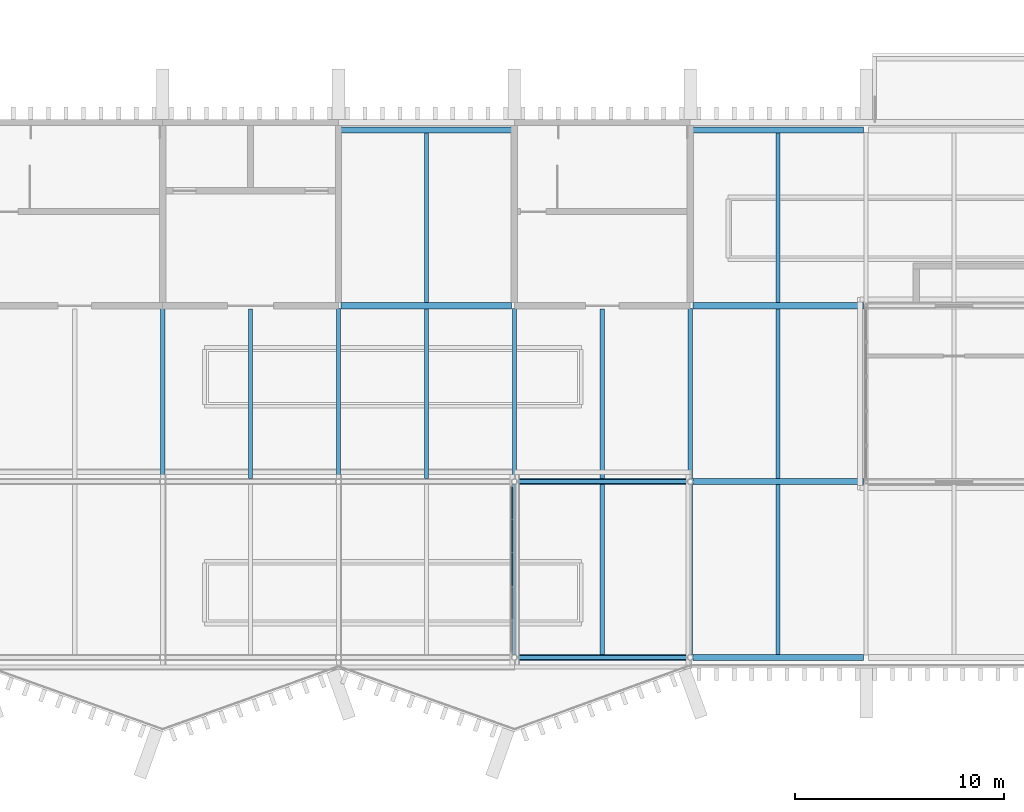
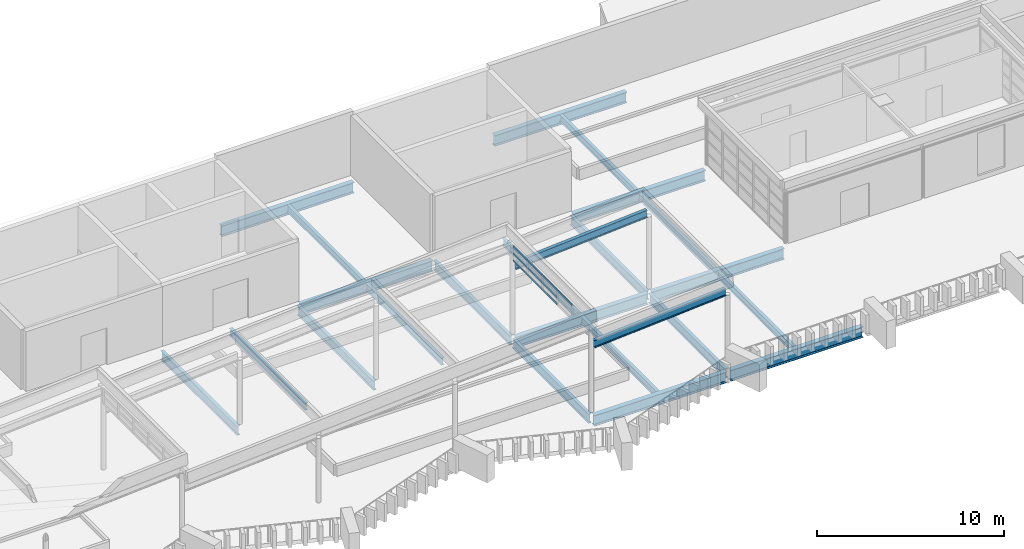
# One storey, part 12 of 51: 24 beams, 10 members, 1 element without a shape of its own.
"""IFC4 building model written with IfcOpenShell, lengths in metres."""

from ifc_helpers import new_model, si_unit, direction, frame, origin, origin_2d, place, context, subcontext, project, spatial, rectangle, i_section, extrude, material, layer, layer_set, material_profile, profile_set, type_object, element, aggregate, save


model = new_model("IFC4")

# Units and contexts
model_context = context("Model", 3, precision=1e-05, world=origin(), true_north=direction((0.0, 1.0)))
body_context = subcontext(model_context, "Body", "Model", "MODEL_VIEW")
ifc_project = project(units=[si_unit("LENGTHUNIT", "METRE"), si_unit("AREAUNIT", "SQUARE_METRE"), si_unit("VOLUMEUNIT", "CUBIC_METRE"), si_unit("PLANEANGLEUNIT", "RADIAN"), si_unit("MASSUNIT", "GRAM", prefix="KILO")], contexts=[model_context])

# Site, building, storey
site_placement = place(None, origin())
site = spatial("IfcSite", under=ifc_project, at=site_placement, CompositionType="ELEMENT")
building_placement = place(site_placement, origin())
building = spatial("IfcBuilding", under=site, at=building_placement, Name="Cresset Court Congress Hotel", CompositionType="ELEMENT")
storey_placement = place(building_placement, frame((0.0, 0.0, 18.60009765625)))
storey = spatial("IfcBuildingStorey", under=building, at=storey_placement, Name="L04", CompositionType="ELEMENT", Elevation=18.60009765625)

# Curtain wall, members
ifc_material_1 = material(Name="Aluminium frame with double glazing", Category="aluminium")
ifc_layer = layer(ifc_material_1, 0.199951171875)
ifc_layer_set = layer_set([ifc_layer], Name="Glazed box curtain wall 1680 module")
curtain_wall_type = type_object("IfcCurtainWallType", Name="Glazed box curtain wall 1680 module", PredefinedType="NOTDEFINED", material=ifc_layer_set)
curtain_wall_placement = place(storey_placement, origin())
curtain_wall = element("IfcCurtainWall", 1, at=curtain_wall_placement, inside=storey, type_object=curtain_wall_type, Name="Roof light face 2", PredefinedType="NOTDEFINED")
ifc_material_2 = material(Name="Aluminium", Category="aluminium")
ifc_material_profile_1 = material_profile(ifc_material_2, rectangle(XDim=0.06005859375, YDim=0.1201171875, at=origin_2d()), Name="Box transom 60x120")
ifc_profile_set_1 = profile_set([ifc_material_profile_1], Name="Aluminium")
member_type = type_object("IfcMemberType", Name="Box transom 60x120", PredefinedType="USERDEFINED", material=ifc_profile_set_1)
member_1_placement = place(storey_placement, frame((58.699951171875, 1.830078125, 5.833984375), z_axis=(0.0, 1.0, 0.0), x_axis=(-1.0, 0.0, 0.0)))
member_1 = element("IfcMember", 2, at=member_1_placement, type_object=member_type, Name="B-X1 transom 2.3", ObjectType="TRANSOM", PredefinedType="USERDEFINED", context=body_context, shape_type="SweptSolid", body=[
    extrude(rectangle(XDim=0.06005859375, YDim=0.1201171875, at=origin_2d()), origin(), (0.0, 0.0, 1.0), 1.5400390625),
])
member_2_placement = place(storey_placement, frame((58.699951171875, 3.429931640625, 4.929931640625), z_axis=(0.0, 1.0, 0.0), x_axis=(-1.0, 0.0, 0.0)))
member_2 = element("IfcMember", 3, at=member_2_placement, type_object=member_type, Name="B-X1 transom 3.1", ObjectType="TRANSOM", PredefinedType="USERDEFINED", context=body_context, shape_type="SweptSolid", body=[
    extrude(rectangle(XDim=0.06005859375, YDim=0.1201171875, at=origin_2d()), origin(), (0.0, 0.0, 1.0), 1.5400390625),
])
member_3_placement = place(storey_placement, frame((58.699951171875, 3.429931640625, 5.3818359375), z_axis=(0.0, 1.0, 0.0), x_axis=(-1.0, 0.0, 0.0)))
member_3 = element("IfcMember", 4, at=member_3_placement, type_object=member_type, Name="B-X1 transom 3.2", ObjectType="TRANSOM", PredefinedType="USERDEFINED", context=body_context, shape_type="SweptSolid", body=[
    extrude(rectangle(XDim=0.06005859375, YDim=0.1201171875, at=origin_2d()), origin(), (0.0, 0.0, 1.0), 1.5400390625),
])
member_4_placement = place(storey_placement, frame((58.699951171875, 3.429931640625, 5.833984375), z_axis=(0.0, 1.0, 0.0), x_axis=(-1.0, 0.0, 0.0)))
member_4 = element("IfcMember", 5, at=member_4_placement, type_object=member_type, Name="B-X1 transom 3.3", ObjectType="TRANSOM", PredefinedType="USERDEFINED", context=body_context, shape_type="SweptSolid", body=[
    extrude(rectangle(XDim=0.06005859375, YDim=0.1201171875, at=origin_2d()), origin(), (0.0, 0.0, 1.0), 1.5400390625),
])
member_5_placement = place(storey_placement, frame((58.699951171875, 5.030029296875, 4.929931640625), z_axis=(0.0, 1.0, 0.0), x_axis=(-1.0, 0.0, 0.0)))
member_5 = element("IfcMember", 6, at=member_5_placement, type_object=member_type, Name="B-X1 transom 4.1", ObjectType="TRANSOM", PredefinedType="USERDEFINED", context=body_context, shape_type="SweptSolid", body=[
    extrude(rectangle(XDim=0.06005859375, YDim=0.1201171875, at=origin_2d()), origin(), (0.0, 0.0, 1.0), 1.5400390625),
])
member_6_placement = place(storey_placement, frame((58.699951171875, 5.030029296875, 5.3818359375), z_axis=(0.0, 1.0, 0.0), x_axis=(-1.0, 0.0, 0.0)))
member_6 = element("IfcMember", 7, at=member_6_placement, type_object=member_type, Name="B-X1 transom 4.2", ObjectType="TRANSOM", PredefinedType="USERDEFINED", context=body_context, shape_type="SweptSolid", body=[
    extrude(rectangle(XDim=0.06005859375, YDim=0.1201171875, at=origin_2d()), origin(), (0.0, 0.0, 1.0), 1.5400390625),
])
member_7_placement = place(storey_placement, frame((58.699951171875, 5.030029296875, 5.833984375), z_axis=(0.0, 1.0, 0.0), x_axis=(-1.0, 0.0, 0.0)))
member_7 = element("IfcMember", 8, at=member_7_placement, type_object=member_type, Name="B-X1 transom 4.3", ObjectType="TRANSOM", PredefinedType="USERDEFINED", context=body_context, shape_type="SweptSolid", body=[
    extrude(rectangle(XDim=0.06005859375, YDim=0.1201171875, at=origin_2d()), origin(), (0.0, 0.0, 1.0), 1.5400390625),
])
member_8_placement = place(storey_placement, frame((58.699951171875, 6.6298828125, 4.929931640625), z_axis=(0.0, 1.0, 0.0), x_axis=(-1.0, 0.0, 0.0)))
member_8 = element("IfcMember", 9, at=member_8_placement, type_object=member_type, Name="B-X1 transom 5.1", ObjectType="TRANSOM", PredefinedType="USERDEFINED", context=body_context, shape_type="SweptSolid", body=[
    extrude(rectangle(XDim=0.06005859375, YDim=0.1201171875, at=origin_2d()), origin(), (0.0, 0.0, 1.0), 1.510009765625),
])
member_9_placement = place(storey_placement, frame((58.699951171875, 6.6298828125, 5.3818359375), z_axis=(0.0, 1.0, 0.0), x_axis=(-1.0, 0.0, 0.0)))
member_9 = element("IfcMember", 10, at=member_9_placement, type_object=member_type, Name="B-X1 transom 5.2", ObjectType="TRANSOM", PredefinedType="USERDEFINED", context=body_context, shape_type="SweptSolid", body=[
    extrude(rectangle(XDim=0.06005859375, YDim=0.1201171875, at=origin_2d()), origin(), (0.0, 0.0, 1.0), 1.510009765625),
])
member_10_placement = place(storey_placement, frame((58.699951171875, 6.6298828125, 5.833984375), z_axis=(0.0, 1.0, 0.0), x_axis=(-1.0, 0.0, 0.0)))
member_10 = element("IfcMember", 11, at=member_10_placement, type_object=member_type, Name="B-X1 transom 5.3", ObjectType="TRANSOM", PredefinedType="USERDEFINED", context=body_context, shape_type="SweptSolid", body=[
    extrude(rectangle(XDim=0.06005859375, YDim=0.1201171875, at=origin_2d()), origin(), (0.0, 0.0, 1.0), 1.510009765625),
])
aggregate(curtain_wall, [member_1, member_2, member_3, member_4, member_5, member_6, member_7, member_8, member_9, member_10])

# Beams
ifc_material_3 = material(Name="Structural steel Q355B", Category="steel")
ifc_material_profile_2 = material_profile(ifc_material_3, i_section(OverallWidth=0.199951171875, OverallDepth=0.5, WebThickness=0.010009765625, FlangeThickness=0.01611328125, FilletRadius=0.012939453125, at=origin_2d()), Name="HN500x200x10x16")
ifc_profile_set_2 = profile_set([ifc_material_profile_2], Name="Structural steel Q355B")
beam_type_1 = type_object("IfcBeamType", Name="Roof rafter HN500x200x10x16", PredefinedType="BEAM", material=ifc_profile_set_2)
for number, where, z_axis, x_axis, name in (
    (12, (58.9365234375, 0.0, 4.359619140625), (0.997561388045, 0.0, 0.06979453475), (0.0, 1.0, 0.0), "Roof rafter 3"),
    (13, (58.9365234375, 8.39990234375, 4.359619140625), (0.997561388045, 0.0, 0.06979453475), (0.0, 1.0, 0.0), "Roof rafter 3"),
):
    element("IfcBeam", number, at=place(storey_placement, frame(where, z_axis=z_axis, x_axis=x_axis)), inside=storey, type_object=beam_type_1, Name=name, PredefinedType="BEAM", context=body_context, shape_type="SweptSolid", body=[
        extrude(i_section(OverallWidth=0.199951171875, OverallDepth=0.5, WebThickness=0.010009765625, FlangeThickness=0.01611328125, FilletRadius=0.012939453125, at=origin_2d()), origin(), (0.0, 0.0, 1.0), 8.146728515625),
    ])
ifc_material_4 = material(Name="Structural steel Q355B", Category="steel")
ifc_material_profile_3 = material_profile(ifc_material_4, i_section(OverallWidth=0.199951171875, OverallDepth=0.60009765625, WebThickness=0.010986328125, FlangeThickness=0.01708984375, FilletRadius=0.012939453125, at=origin_2d()), Name="HN600x200x11x17")
ifc_profile_set_3 = profile_set([ifc_material_profile_3], Name="Structural steel Q355B")
beam_type_2 = type_object("IfcBeamType", Name="Steel beam HN600x200x11x17", PredefinedType="BEAM", material=ifc_profile_set_3)
for number, where, z_axis, x_axis, name in (
    (14, (42.0, 8.52490234375, -0.550048828125), (0.0, 1.0, 0.0), (-1.0, 0.0, 0.0), "B.by.L04.06B"),
    (15, (50.39990234375, 8.52490234375, -0.550048828125), (0.0, 1.0, 0.0), (-1.0, 0.0, 0.0), "B.by.L04.07B"),
):
    element("IfcBeam", number, at=place(storey_placement, frame(where, z_axis=z_axis, x_axis=x_axis)), inside=storey, type_object=beam_type_2, Name=name, PredefinedType="BEAM", context=body_context, shape_type="SweptSolid", body=[
        extrude(i_section(OverallWidth=0.199951171875, OverallDepth=0.60009765625, WebThickness=0.010986328125, FlangeThickness=0.01708984375, FilletRadius=0.012939453125, at=origin_2d()), origin(), (0.0, 0.0, 1.0), 8.150146484375),
    ])
beam_1_placement = place(storey_placement, frame((58.800048828125, 0.125, -0.550048828125), z_axis=(0.0, 1.0, 0.0), x_axis=(-1.0, 0.0, 0.0)))
element("IfcBeam", 16, at=beam_1_placement, inside=storey, type_object=beam_type_2, Name="B.by.L04.08A", PredefinedType="BEAM", context=body_context, shape_type="SweptSolid", body=[
    extrude(i_section(OverallWidth=0.199951171875, OverallDepth=0.60009765625, WebThickness=0.010986328125, FlangeThickness=0.01708984375, FilletRadius=0.012939453125, at=origin_2d()), origin(), (0.0, 0.0, 1.0), 8.14990234375),
])
beam_2_placement = place(storey_placement, frame((58.800048828125, 8.52490234375, -0.550048828125), z_axis=(0.0, 1.0, 0.0), x_axis=(-1.0, 0.0, 0.0)))
element("IfcBeam", 17, at=beam_2_placement, inside=storey, type_object=beam_type_2, Name="B.by.L04.08B", PredefinedType="BEAM", context=body_context, shape_type="SweptSolid", body=[
    extrude(i_section(OverallWidth=0.199951171875, OverallDepth=0.60009765625, WebThickness=0.010986328125, FlangeThickness=0.01708984375, FilletRadius=0.012939453125, at=origin_2d()), origin(), (0.0, 0.0, 1.0), 8.150146484375),
])
beam_3_placement = place(storey_placement, frame((67.199951171875, 0.125, -0.550048828125), z_axis=(0.0, 1.0, 0.0), x_axis=(-1.0, 0.0, 0.0)))
element("IfcBeam", 18, at=beam_3_placement, inside=storey, type_object=beam_type_2, Name="B.by.L04.09A", PredefinedType="BEAM", context=body_context, shape_type="SweptSolid", body=[
    extrude(i_section(OverallWidth=0.199951171875, OverallDepth=0.60009765625, WebThickness=0.010986328125, FlangeThickness=0.01708984375, FilletRadius=0.012939453125, at=origin_2d()), origin(), (0.0, 0.0, 1.0), 8.14990234375),
])
beam_4_placement = place(storey_placement, frame((67.199951171875, 8.52490234375, -0.550048828125), z_axis=(0.0, 1.0, 0.0), x_axis=(-1.0, 0.0, 0.0)))
element("IfcBeam", 19, at=beam_4_placement, inside=storey, type_object=beam_type_2, Name="B.by.L04.09B", PredefinedType="BEAM", context=body_context, shape_type="SweptSolid", body=[
    extrude(i_section(OverallWidth=0.199951171875, OverallDepth=0.60009765625, WebThickness=0.010986328125, FlangeThickness=0.01708984375, FilletRadius=0.012939453125, at=origin_2d()), origin(), (0.0, 0.0, 1.0), 8.150146484375),
])
ifc_material_5 = material(Name="Structural steel Q355B", Category="steel")
ifc_material_profile_4 = material_profile(ifc_material_5, i_section(OverallWidth=0.300048828125, OverallDepth=0.699951171875, WebThickness=0.012939453125, FlangeThickness=0.02392578125, FilletRadius=0.01806640625, at=origin_2d()), Name="HN700x300x13x24")
ifc_profile_set_4 = profile_set([ifc_material_profile_4], Name="Structural steel Q355B")
beam_type_3 = type_object("IfcBeamType", Name="Steel beam HN700x300x13x24", PredefinedType="BEAM", material=ifc_profile_set_4)
beam_5_placement = place(storey_placement, frame((58.925048828125, 0.0, -0.60009765625), z_axis=(1.0, 0.0, 0.0), x_axis=(0.0, 1.0, 0.0)))
element("IfcBeam", 20, at=beam_5_placement, inside=storey, type_object=beam_type_3, Name="B.bx.L04.A08", PredefinedType="BEAM", context=body_context, shape_type="SweptSolid", body=[
    extrude(i_section(OverallWidth=0.300048828125, OverallDepth=0.699951171875, WebThickness=0.012939453125, FlangeThickness=0.02392578125, FilletRadius=0.01806640625, at=origin_2d()), origin(), (0.0, 0.0, 1.0), 8.14990234375),
])
beam_6_placement = place(storey_placement, frame((67.324951171875, 0.0, -0.60009765625), z_axis=(1.0, 0.0, 0.0), x_axis=(0.0, 1.0, 0.0)))
element("IfcBeam", 21, at=beam_6_placement, inside=storey, type_object=beam_type_3, Name="B.bx.L04.A09", PredefinedType="BEAM", context=body_context, shape_type="SweptSolid", body=[
    extrude(i_section(OverallWidth=0.300048828125, OverallDepth=0.699951171875, WebThickness=0.012939453125, FlangeThickness=0.02392578125, FilletRadius=0.01806640625, at=origin_2d()), origin(), (0.0, 0.0, 1.0), 8.150146484375),
])
beam_7_placement = place(storey_placement, frame((58.925048828125, 8.39990234375, -0.60009765625), z_axis=(1.0, 0.0, 0.0), x_axis=(0.0, 1.0, 0.0)))
element("IfcBeam", 22, at=beam_7_placement, inside=storey, type_object=beam_type_3, Name="B.bx.L04.B08", PredefinedType="BEAM", context=body_context, shape_type="SweptSolid", body=[
    extrude(i_section(OverallWidth=0.300048828125, OverallDepth=0.699951171875, WebThickness=0.012939453125, FlangeThickness=0.02392578125, FilletRadius=0.01806640625, at=origin_2d()), origin(), (0.0, 0.0, 1.0), 8.14990234375),
])
for number, where, z_axis, x_axis, name in (
    (23, (67.324951171875, 8.39990234375, -0.60009765625), (1.0, 0.0, 0.0), (0.0, 1.0, 0.0), "B.bx.L04.B09"),
    (24, (50.52490234375, 16.800048828125, -0.60009765625), (1.0, 0.0, 0.0), (0.0, 1.0, 0.0), "B.bx.L04.C07"),
    (25, (67.324951171875, 16.800048828125, -0.60009765625), (1.0, 0.0, 0.0), (0.0, 1.0, 0.0), "B.bx.L04.C09"),
    (26, (50.52490234375, 25.199951171875, -0.60009765625), (1.0, 0.0, 0.0), (0.0, 1.0, 0.0), "B.bx.L04.D07"),
    (27, (67.324951171875, 25.199951171875, -0.60009765625), (1.0, 0.0, 0.0), (0.0, 1.0, 0.0), "B.bx.L04.D09"),
):
    element("IfcBeam", number, at=place(storey_placement, frame(where, z_axis=z_axis, x_axis=x_axis)), inside=storey, type_object=beam_type_3, Name=name, PredefinedType="BEAM", context=body_context, shape_type="SweptSolid", body=[
        extrude(i_section(OverallWidth=0.300048828125, OverallDepth=0.699951171875, WebThickness=0.012939453125, FlangeThickness=0.02392578125, FilletRadius=0.01806640625, at=origin_2d()), origin(), (0.0, 0.0, 1.0), 8.150146484375),
    ])
ifc_material_6 = material(Name="Structural steel Q355B", Category="steel")
ifc_material_profile_5 = material_profile(ifc_material_6, i_section(OverallWidth=0.199951171875, OverallDepth=0.449951171875, WebThickness=0.009033203125, FlangeThickness=0.013916015625, FilletRadius=0.012939453125, at=origin_2d()), Name="HN450x200x9x14")
ifc_profile_set_5 = profile_set([ifc_material_profile_5], Name="Structural steel Q355B")
beam_type_4 = type_object("IfcBeamType", Name="Steel joist HN450x200x9x14", PredefinedType="JOIST", material=ifc_profile_set_5)
for number, where, z_axis, x_axis, name in (
    (28, (46.199951171875, 8.550048828125, -0.47509765625), (0.0, 1.0, 0.0), (-1.0, 0.0, 0.0), "B.bj.L04.06B"),
    (29, (54.60009765625, 8.550048828125, -0.47509765625), (0.0, 1.0, 0.0), (-1.0, 0.0, 0.0), "B.bj.L04.07B"),
):
    element("IfcBeam", number, at=place(storey_placement, frame(where, z_axis=z_axis, x_axis=x_axis)), inside=storey, type_object=beam_type_4, Name=name, PredefinedType="JOIST", context=body_context, shape_type="SweptSolid", body=[
        extrude(i_section(OverallWidth=0.199951171875, OverallDepth=0.449951171875, WebThickness=0.009033203125, FlangeThickness=0.013916015625, FilletRadius=0.012939453125, at=origin_2d()), origin(), (0.0, 0.0, 1.0), 8.099853515625),
    ])
for number, where, z_axis, x_axis, name in (
    (30, (54.60009765625, 16.949951171875, -0.47509765625), (0.0, 1.0, 0.0), (-1.0, 0.0, 0.0), "B.bj.L04.07C"),
    (31, (63.0, 0.14990234375, -0.47509765625), (0.0, 1.0, 0.0), (-1.0, 0.0, 0.0), "B.bj.L04.08A"),
):
    element("IfcBeam", number, at=place(storey_placement, frame(where, z_axis=z_axis, x_axis=x_axis)), inside=storey, type_object=beam_type_4, Name=name, PredefinedType="JOIST", context=body_context, shape_type="SweptSolid", body=[
        extrude(i_section(OverallWidth=0.199951171875, OverallDepth=0.449951171875, WebThickness=0.009033203125, FlangeThickness=0.013916015625, FilletRadius=0.012939453125, at=origin_2d()), origin(), (0.0, 0.0, 1.0), 8.10009765625),
    ])
beam_8_placement = place(storey_placement, frame((63.0, 8.550048828125, -0.47509765625), z_axis=(0.0, 1.0, 0.0), x_axis=(-1.0, 0.0, 0.0)))
element("IfcBeam", 32, at=beam_8_placement, inside=storey, type_object=beam_type_4, Name="B.bj.L04.08B", PredefinedType="JOIST", context=body_context, shape_type="SweptSolid", body=[
    extrude(i_section(OverallWidth=0.199951171875, OverallDepth=0.449951171875, WebThickness=0.009033203125, FlangeThickness=0.013916015625, FilletRadius=0.012939453125, at=origin_2d()), origin(), (0.0, 0.0, 1.0), 8.099853515625),
])
beam_9_placement = place(storey_placement, frame((71.39990234375, 0.14990234375, -0.47509765625), z_axis=(0.0, 1.0, 0.0), x_axis=(-1.0, 0.0, 0.0)))
element("IfcBeam", 33, at=beam_9_placement, inside=storey, type_object=beam_type_4, Name="B.bj.L04.09A", PredefinedType="JOIST", context=body_context, shape_type="SweptSolid", body=[
    extrude(i_section(OverallWidth=0.199951171875, OverallDepth=0.449951171875, WebThickness=0.009033203125, FlangeThickness=0.013916015625, FilletRadius=0.012939453125, at=origin_2d()), origin(), (0.0, 0.0, 1.0), 8.10009765625),
])
beam_10_placement = place(storey_placement, frame((71.39990234375, 8.550048828125, -0.47509765625), z_axis=(0.0, 1.0, 0.0), x_axis=(-1.0, 0.0, 0.0)))
element("IfcBeam", 34, at=beam_10_placement, inside=storey, type_object=beam_type_4, Name="B.bj.L04.09B", PredefinedType="JOIST", context=body_context, shape_type="SweptSolid", body=[
    extrude(i_section(OverallWidth=0.199951171875, OverallDepth=0.449951171875, WebThickness=0.009033203125, FlangeThickness=0.013916015625, FilletRadius=0.012939453125, at=origin_2d()), origin(), (0.0, 0.0, 1.0), 8.099853515625),
])
beam_11_placement = place(storey_placement, frame((71.39990234375, 16.949951171875, -0.47509765625), z_axis=(0.0, 1.0, 0.0), x_axis=(-1.0, 0.0, 0.0)))
element("IfcBeam", 35, at=beam_11_placement, inside=storey, type_object=beam_type_4, Name="B.bj.L04.09C", PredefinedType="JOIST", context=body_context, shape_type="SweptSolid", body=[
    extrude(i_section(OverallWidth=0.199951171875, OverallDepth=0.449951171875, WebThickness=0.009033203125, FlangeThickness=0.013916015625, FilletRadius=0.012939453125, at=origin_2d()), origin(), (0.0, 0.0, 1.0), 8.10009765625),
])

save(model, "model.ifc")
